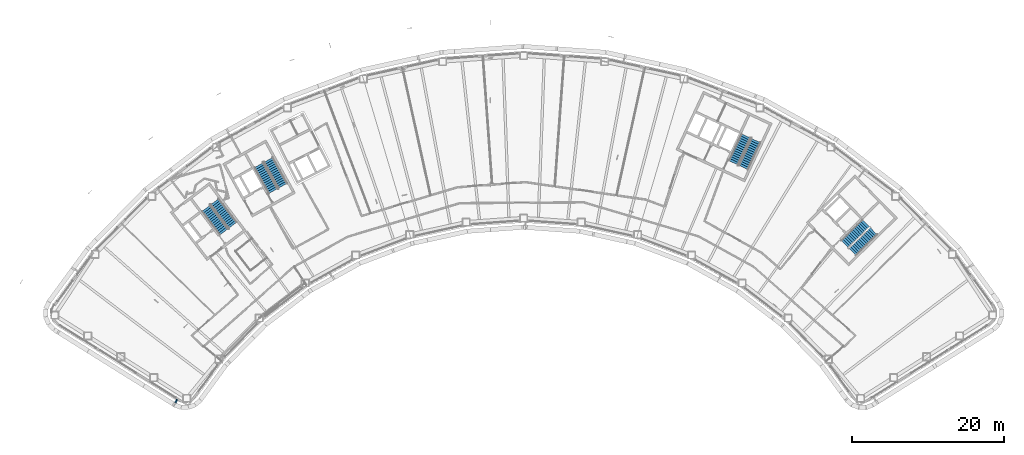
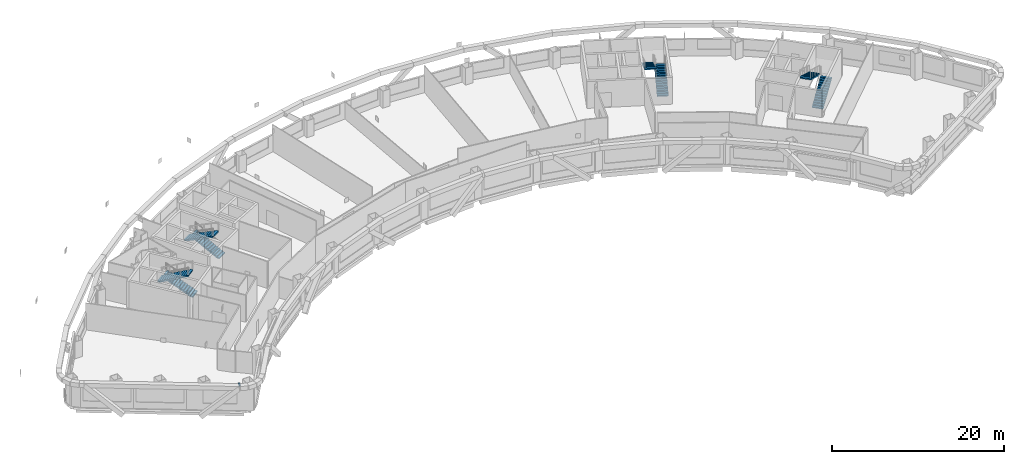
# One storey, part 9 of 19: 8 stair flights, 1 discrete accessory, 4 elements without a shape of their own.
"""IFC4 building model written with IfcOpenShell, lengths in metres."""

from ifc_helpers import new_model, si_unit, direction, frame, origin, origin_2d, place, context, subcontext, project, spatial, polyline, rectangle, outline, extrude, material, type_object, element, aggregate, save


model = new_model("IFC4")

# Units and contexts
model_context = context("Model", 3, precision=1e-05, world=origin(), true_north=direction((0.0, 1.0)))
body_context = subcontext(model_context, "Body", "Model", "MODEL_VIEW")
ifc_project = project(units=[si_unit("LENGTHUNIT", "METRE"), si_unit("AREAUNIT", "SQUARE_METRE"), si_unit("VOLUMEUNIT", "CUBIC_METRE"), si_unit("PLANEANGLEUNIT", "RADIAN"), si_unit("MASSUNIT", "GRAM", prefix="KILO")], contexts=[model_context])

# Site, building, storey
site_placement = place(None, origin())
site = spatial("IfcSite", under=ifc_project, at=site_placement, CompositionType="ELEMENT")
building_placement = place(site_placement, origin())
building = spatial("IfcBuilding", under=site, at=building_placement, Name="Tuul Gate Civic Tower", CompositionType="ELEMENT")
storey_placement = place(building_placement, frame((0.0, 0.0, 163.39990234375)))
storey = spatial("IfcBuildingStorey", under=building, at=storey_placement, Name="Level 37", CompositionType="ELEMENT", Elevation=163.39990234375)

# Stair, stair flights
ifc_material_1 = material(Name="Concrete C40/50", Category="concrete")
stair_type = type_object("IfcStairType", Name="Exit stair", PredefinedType="HALF_TURN_STAIR", material=ifc_material_1)
stair_1_placement = place(storey_placement, origin())
stair_1 = element("IfcStair", 1, at=stair_1_placement, inside=storey, type_object=stair_type, Name="Level 37 ST-1", PredefinedType="HALF_TURN_STAIR")
ifc_material_2 = material(Name="Concrete C40/50", Category="concrete")
stair_flight_type = type_object("IfcStairFlightType", Name="Exit stair flight", PredefinedType="STRAIGHT", material=ifc_material_2)
stair_flight_1_placement = place(storey_placement, frame((-32.875244140625, -13.066650390625, 0.0), z_axis=(0.0, 0.0, 1.0), x_axis=(-0.605764474941, 0.795644016442, 0.0)))
stair_flight_1 = element("IfcStairFlight", 2, at=stair_flight_1_placement, type_object=stair_flight_type, Name="ST-1 flight 1", NumberOfRisers=14, NumberOfTreads=13, PredefinedType="STRAIGHT", RiserHeight=0.15, TreadLength=0.3, context=body_context, shape_type="SweptSolid", body=[
    extrude(outline(polyline([(0.0, 0.0), (0.0, 0.14990234375), (0.300048828125, 0.14990234375), (0.300048828125, 0.300048828125), (0.60009765625, 0.300048828125), (0.60009765625, 0.449951171875), (0.89990234375, 0.449951171875), (0.89990234375, 0.60009765625), (1.199951171875, 0.60009765625), (1.199951171875, 0.75), (1.5, 0.75), (1.5, 0.89990234375), (1.800048828125, 0.89990234375), (1.800048828125, 1.050048828125), (2.10009765625, 1.050048828125), (2.10009765625, 1.199951171875), (2.39990234375, 1.199951171875), (2.39990234375, 1.35009765625), (2.699951171875, 1.35009765625), (2.699951171875, 1.5), (3.0, 1.5), (3.0, 1.64990234375), (3.300048828125, 1.64990234375), (3.300048828125, 1.800048828125), (3.60009765625, 1.800048828125), (3.60009765625, 1.949951171875), (3.89990234375, 1.949951171875), (3.89990234375, 2.10009765625), (3.89990234375, 1.782470703125), (0.335205078125, 0.0), (0.0, 0.0)])), frame((0.0, 0.675048828125, 0.0), z_axis=(0.0, -1.0, 0.0), x_axis=(1.0, 0.0, 0.0)), (0.0, 0.0, 1.0), 1.35009765625),
])
stair_flight_2_placement = place(storey_placement, frame((-36.391357421875, -10.842041015625, 2.10009765625), z_axis=(0.0, 0.0, 1.0), x_axis=(0.605764474941, -0.795644016442, 0.0)))
stair_flight_2 = element("IfcStairFlight", 3, at=stair_flight_2_placement, type_object=stair_flight_type, Name="ST-1 flight 2", NumberOfRisers=14, NumberOfTreads=13, PredefinedType="STRAIGHT", RiserHeight=0.15, TreadLength=0.3, context=body_context, shape_type="SweptSolid", body=[
    extrude(outline(polyline([(0.0, 0.0), (0.0, 0.14990234375), (0.300048828125, 0.14990234375), (0.300048828125, 0.300048828125), (0.60009765625, 0.300048828125), (0.60009765625, 0.449951171875), (0.89990234375, 0.449951171875), (0.89990234375, 0.60009765625), (1.199951171875, 0.60009765625), (1.199951171875, 0.75), (1.5, 0.75), (1.5, 0.89990234375), (1.800048828125, 0.89990234375), (1.800048828125, 1.050048828125), (2.10009765625, 1.050048828125), (2.10009765625, 1.199951171875), (2.39990234375, 1.199951171875), (2.39990234375, 1.35009765625), (2.699951171875, 1.35009765625), (2.699951171875, 1.5), (3.0, 1.5), (3.0, 1.64990234375), (3.300048828125, 1.64990234375), (3.300048828125, 1.800048828125), (3.60009765625, 1.800048828125), (3.60009765625, 1.949951171875), (3.89990234375, 1.949951171875), (3.89990234375, 2.10009765625), (3.89990234375, 1.782470703125), (0.335205078125, 0.0), (0.0, 0.0)])), frame((0.0, 0.675048828125, 0.0), z_axis=(0.0, -1.0, 0.0), x_axis=(1.0, 0.0, 0.0)), (0.0, 0.0, 1.0), 1.35009765625),
])
aggregate(stair_1, [stair_flight_1, stair_flight_2])

stair_2_placement = place(storey_placement, origin())
stair_2 = element("IfcStair", 4, at=stair_2_placement, inside=storey, type_object=stair_type, Name="Level 37 ST-2", PredefinedType="HALF_TURN_STAIR")
stair_flight_3_placement = place(storey_placement, frame((-26.29150390625, -7.87646484375, 0.0), z_axis=(0.0, 0.0, 1.0), x_axis=(-0.484761763766, 0.874646232708, 0.0)))
stair_flight_3 = element("IfcStairFlight", 5, at=stair_flight_3_placement, type_object=stair_flight_type, Name="ST-2 flight 1", NumberOfRisers=14, NumberOfTreads=13, PredefinedType="STRAIGHT", RiserHeight=0.15, TreadLength=0.3, context=body_context, shape_type="SweptSolid", body=[
    extrude(outline(polyline([(0.0, 0.0), (0.0, 0.14990234375), (0.300048828125, 0.14990234375), (0.300048828125, 0.300048828125), (0.60009765625, 0.300048828125), (0.60009765625, 0.449951171875), (0.89990234375, 0.449951171875), (0.89990234375, 0.60009765625), (1.199951171875, 0.60009765625), (1.199951171875, 0.75), (1.5, 0.75), (1.5, 0.89990234375), (1.800048828125, 0.89990234375), (1.800048828125, 1.050048828125), (2.10009765625, 1.050048828125), (2.10009765625, 1.199951171875), (2.39990234375, 1.199951171875), (2.39990234375, 1.35009765625), (2.699951171875, 1.35009765625), (2.699951171875, 1.5), (3.0, 1.5), (3.0, 1.64990234375), (3.300048828125, 1.64990234375), (3.300048828125, 1.800048828125), (3.60009765625, 1.800048828125), (3.60009765625, 1.949951171875), (3.89990234375, 1.949951171875), (3.89990234375, 2.10009765625), (3.89990234375, 1.782470703125), (0.335205078125, 0.0), (0.0, 0.0)])), frame((0.0, 0.675048828125, 0.0), z_axis=(0.0, -1.0, 0.0), x_axis=(1.0, 0.0, 0.0)), (0.0, 0.0, 1.0), 1.35009765625),
])
stair_flight_4_placement = place(storey_placement, frame((-29.450439453125, -5.168212890625, 2.10009765625), z_axis=(0.0, 0.0, 1.0), x_axis=(0.484761763766, -0.874646232708, 0.0)))
stair_flight_4 = element("IfcStairFlight", 6, at=stair_flight_4_placement, type_object=stair_flight_type, Name="ST-2 flight 2", NumberOfRisers=14, NumberOfTreads=13, PredefinedType="STRAIGHT", RiserHeight=0.15, TreadLength=0.3, context=body_context, shape_type="SweptSolid", body=[
    extrude(outline(polyline([(0.0, 0.0), (0.0, 0.14990234375), (0.300048828125, 0.14990234375), (0.300048828125, 0.300048828125), (0.60009765625, 0.300048828125), (0.60009765625, 0.449951171875), (0.89990234375, 0.449951171875), (0.89990234375, 0.60009765625), (1.199951171875, 0.60009765625), (1.199951171875, 0.75), (1.5, 0.75), (1.5, 0.89990234375), (1.800048828125, 0.89990234375), (1.800048828125, 1.050048828125), (2.10009765625, 1.050048828125), (2.10009765625, 1.199951171875), (2.39990234375, 1.199951171875), (2.39990234375, 1.35009765625), (2.699951171875, 1.35009765625), (2.699951171875, 1.5), (3.0, 1.5), (3.0, 1.64990234375), (3.300048828125, 1.64990234375), (3.300048828125, 1.800048828125), (3.60009765625, 1.800048828125), (3.60009765625, 1.949951171875), (3.89990234375, 1.949951171875), (3.89990234375, 2.10009765625), (3.89990234375, 1.782470703125), (0.335205078125, 0.0), (0.0, 0.0)])), frame((0.0, 0.675048828125, 0.0), z_axis=(0.0, -1.0, 0.0), x_axis=(1.0, 0.0, 0.0)), (0.0, 0.0, 1.0), 1.35009765625),
])
aggregate(stair_2, [stair_flight_3, stair_flight_4])

stair_3_placement = place(storey_placement, origin())
stair_3 = element("IfcStair", 7, at=stair_3_placement, inside=storey, type_object=stair_type, Name="Level 37 ST-3", PredefinedType="HALF_TURN_STAIR")
stair_flight_5_placement = place(storey_placement, frame((48.61376953125, -16.581787109375, 0.0), z_axis=(0.0, 0.0, 1.0), x_axis=(0.714127290059, 0.700015866672, 0.0)))
stair_flight_5 = element("IfcStairFlight", 8, at=stair_flight_5_placement, type_object=stair_flight_type, Name="ST-3 flight 1", NumberOfRisers=14, NumberOfTreads=13, PredefinedType="STRAIGHT", RiserHeight=0.15, TreadLength=0.3, context=body_context, shape_type="SweptSolid", body=[
    extrude(outline(polyline([(0.0, 0.0), (0.0, 0.14990234375), (0.300048828125, 0.14990234375), (0.300048828125, 0.300048828125), (0.60009765625, 0.300048828125), (0.60009765625, 0.449951171875), (0.89990234375, 0.449951171875), (0.89990234375, 0.60009765625), (1.199951171875, 0.60009765625), (1.199951171875, 0.75), (1.5, 0.75), (1.5, 0.89990234375), (1.800048828125, 0.89990234375), (1.800048828125, 1.050048828125), (2.10009765625, 1.050048828125), (2.10009765625, 1.199951171875), (2.39990234375, 1.199951171875), (2.39990234375, 1.35009765625), (2.699951171875, 1.35009765625), (2.699951171875, 1.5), (3.0, 1.5), (3.0, 1.64990234375), (3.300048828125, 1.64990234375), (3.300048828125, 1.800048828125), (3.60009765625, 1.800048828125), (3.60009765625, 1.949951171875), (3.89990234375, 1.949951171875), (3.89990234375, 2.10009765625), (3.89990234375, 1.782470703125), (0.335205078125, 0.0), (0.0, 0.0)])), frame((0.0, 0.675048828125, 0.0), z_axis=(0.0, -1.0, 0.0), x_axis=(1.0, 0.0, 0.0)), (0.0, 0.0, 1.0), 1.35009765625),
])
stair_flight_6_placement = place(storey_placement, frame((50.3837890625, -12.816162109375, 2.10009765625), z_axis=(0.0, 0.0, 1.0), x_axis=(-0.714127290059, -0.700015866672, 0.0)))
stair_flight_6 = element("IfcStairFlight", 9, at=stair_flight_6_placement, type_object=stair_flight_type, Name="ST-3 flight 2", NumberOfRisers=14, NumberOfTreads=13, PredefinedType="STRAIGHT", RiserHeight=0.15, TreadLength=0.3, context=body_context, shape_type="SweptSolid", body=[
    extrude(outline(polyline([(0.0, 0.0), (0.0, 0.14990234375), (0.300048828125, 0.14990234375), (0.300048828125, 0.300048828125), (0.60009765625, 0.300048828125), (0.60009765625, 0.449951171875), (0.89990234375, 0.449951171875), (0.89990234375, 0.60009765625), (1.199951171875, 0.60009765625), (1.199951171875, 0.75), (1.5, 0.75), (1.5, 0.89990234375), (1.800048828125, 0.89990234375), (1.800048828125, 1.050048828125), (2.10009765625, 1.050048828125), (2.10009765625, 1.199951171875), (2.39990234375, 1.199951171875), (2.39990234375, 1.35009765625), (2.699951171875, 1.35009765625), (2.699951171875, 1.5), (3.0, 1.5), (3.0, 1.64990234375), (3.300048828125, 1.64990234375), (3.300048828125, 1.800048828125), (3.60009765625, 1.800048828125), (3.60009765625, 1.949951171875), (3.89990234375, 1.949951171875), (3.89990234375, 2.10009765625), (3.89990234375, 1.782470703125), (0.335205078125, 0.0), (0.0, 0.0)])), frame((0.0, 0.675048828125, 0.0), z_axis=(0.0, -1.0, 0.0), x_axis=(1.0, 0.0, 0.0)), (0.0, 0.0, 1.0), 1.35009765625),
])
aggregate(stair_3, [stair_flight_5, stair_flight_6])

stair_4_placement = place(storey_placement, origin())
stair_4 = element("IfcStair", 10, at=stair_4_placement, inside=storey, type_object=stair_type, Name="Level 37 ST-4", PredefinedType="HALF_TURN_STAIR")
stair_flight_7_placement = place(storey_placement, frame((34.278564453125, -5.478515625, 0.0), z_axis=(0.0, 0.0, 1.0), x_axis=(0.422576295988, 0.906327354806, 0.0)))
stair_flight_7 = element("IfcStairFlight", 11, at=stair_flight_7_placement, type_object=stair_flight_type, Name="ST-4 flight 1", NumberOfRisers=14, NumberOfTreads=13, PredefinedType="STRAIGHT", RiserHeight=0.15, TreadLength=0.3, context=body_context, shape_type="SweptSolid", body=[
    extrude(outline(polyline([(0.0, 0.0), (0.0, 0.14990234375), (0.300048828125, 0.14990234375), (0.300048828125, 0.300048828125), (0.60009765625, 0.300048828125), (0.60009765625, 0.449951171875), (0.89990234375, 0.449951171875), (0.89990234375, 0.60009765625), (1.199951171875, 0.60009765625), (1.199951171875, 0.75), (1.5, 0.75), (1.5, 0.89990234375), (1.800048828125, 0.89990234375), (1.800048828125, 1.050048828125), (2.10009765625, 1.050048828125), (2.10009765625, 1.199951171875), (2.39990234375, 1.199951171875), (2.39990234375, 1.35009765625), (2.699951171875, 1.35009765625), (2.699951171875, 1.5), (3.0, 1.5), (3.0, 1.64990234375), (3.300048828125, 1.64990234375), (3.300048828125, 1.800048828125), (3.60009765625, 1.800048828125), (3.60009765625, 1.949951171875), (3.89990234375, 1.949951171875), (3.89990234375, 2.10009765625), (3.89990234375, 1.782470703125), (0.335205078125, 0.0), (0.0, 0.0)])), frame((0.0, 0.675048828125, 0.0), z_axis=(0.0, -1.0, 0.0), x_axis=(1.0, 0.0, 0.0)), (0.0, 0.0, 1.0), 1.35009765625),
])
stair_flight_8_placement = place(storey_placement, frame((34.612548828125, -1.3310546875, 2.10009765625), z_axis=(0.0, 0.0, 1.0), x_axis=(-0.422576295988, -0.906327354806, 0.0)))
stair_flight_8 = element("IfcStairFlight", 12, at=stair_flight_8_placement, type_object=stair_flight_type, Name="ST-4 flight 2", NumberOfRisers=14, NumberOfTreads=13, PredefinedType="STRAIGHT", RiserHeight=0.15, TreadLength=0.3, context=body_context, shape_type="SweptSolid", body=[
    extrude(outline(polyline([(0.0, 0.0), (0.0, 0.14990234375), (0.300048828125, 0.14990234375), (0.300048828125, 0.300048828125), (0.60009765625, 0.300048828125), (0.60009765625, 0.449951171875), (0.89990234375, 0.449951171875), (0.89990234375, 0.60009765625), (1.199951171875, 0.60009765625), (1.199951171875, 0.75), (1.5, 0.75), (1.5, 0.89990234375), (1.800048828125, 0.89990234375), (1.800048828125, 1.050048828125), (2.10009765625, 1.050048828125), (2.10009765625, 1.199951171875), (2.39990234375, 1.199951171875), (2.39990234375, 1.35009765625), (2.699951171875, 1.35009765625), (2.699951171875, 1.5), (3.0, 1.5), (3.0, 1.64990234375), (3.300048828125, 1.64990234375), (3.300048828125, 1.800048828125), (3.60009765625, 1.800048828125), (3.60009765625, 1.949951171875), (3.89990234375, 1.949951171875), (3.89990234375, 2.10009765625), (3.89990234375, 1.782470703125), (0.335205078125, 0.0), (0.0, 0.0)])), frame((0.0, 0.675048828125, 0.0), z_axis=(0.0, -1.0, 0.0), x_axis=(1.0, 0.0, 0.0)), (0.0, 0.0, 1.0), 1.35009765625),
])
aggregate(stair_4, [stair_flight_7, stair_flight_8])

# Discrete accessory
ifc_material_3 = material(Name="Stainless steel", Category="steel")
discrete_accessory_type = type_object("IfcDiscreteAccessoryType", Name="Screen bracket", PredefinedType="BRACKET", material=ifc_material_3)
discrete_accessory_placement = place(storey_placement, frame((-40.318359375, -36.20361328125, 3.75), z_axis=(0.0, 0.0, 1.0), x_axis=(-0.448838691736, -0.893612795791, 0.0)))
element("IfcDiscreteAccessory", 13, at=discrete_accessory_placement, inside=storey, type_object=discrete_accessory_type, Name="Screen bracket 20", PredefinedType="BRACKET", context=body_context, shape_type="SweptSolid", body=[
    extrude(rectangle(XDim=0.451904296875, YDim=0.199951171875, at=origin_2d()), origin(), (0.0, 0.0, 1.0), 0.199951171875),
])

save(model, "model.ifc")
